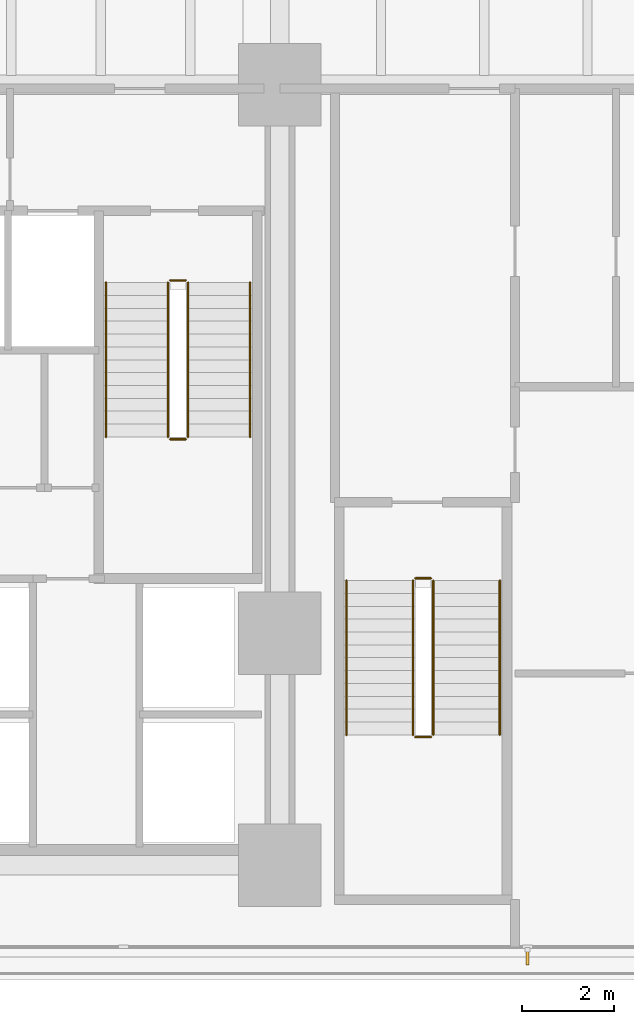
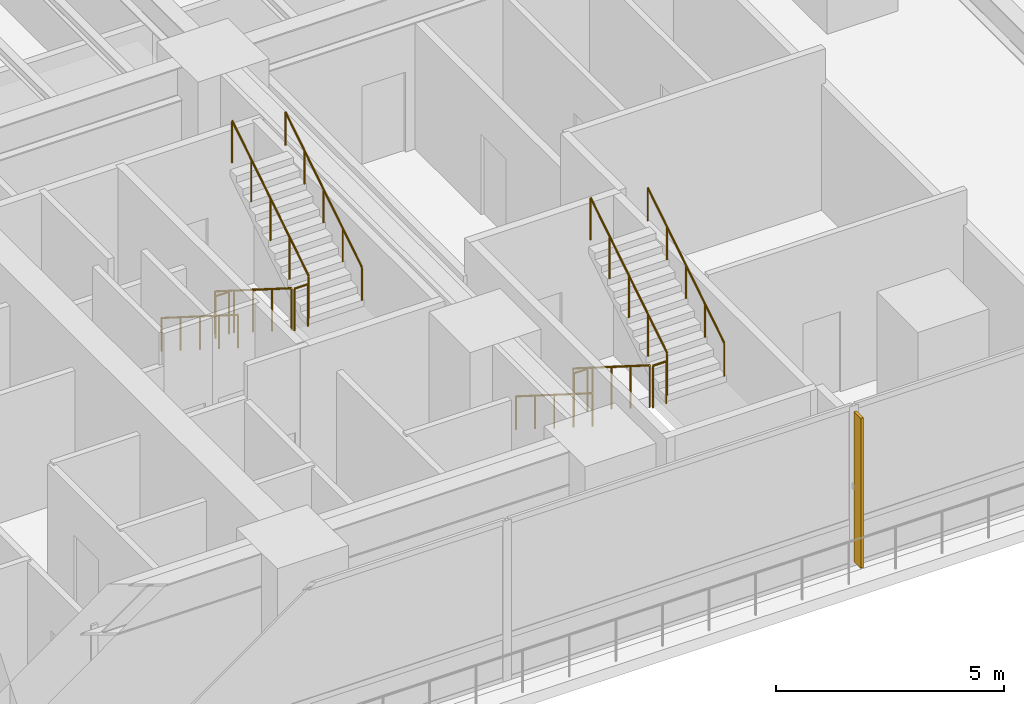
# One storey, part 21 of 26: 12 railings, 1 shading device.
"""IFC4 building model written with IfcOpenShell, lengths in metres."""

from ifc_helpers import new_model, si_unit, direction, frame, origin, origin_2d, place, context, subcontext, project, spatial, polyline, circle, outline, extrude, material, layer, layer_set, type_object, element, save


model = new_model("IFC4")

# Units and contexts
model_context = context("Model", 3, precision=1e-05, world=origin(), true_north=direction((0.0, 1.0)))
body_context = subcontext(model_context, "Body", "Model", "MODEL_VIEW")
ifc_project = project(units=[si_unit("LENGTHUNIT", "METRE"), si_unit("AREAUNIT", "SQUARE_METRE"), si_unit("VOLUMEUNIT", "CUBIC_METRE"), si_unit("PLANEANGLEUNIT", "RADIAN"), si_unit("MASSUNIT", "GRAM", prefix="KILO")], contexts=[model_context])

# Site, building, storey
site_placement = place(None, origin())
site = spatial("IfcSite", under=ifc_project, at=site_placement, CompositionType="ELEMENT")
building_placement = place(site_placement, origin())
building = spatial("IfcBuilding", under=site, at=building_placement, Name="Qalmaran Belvedere Hotel", CompositionType="ELEMENT")
storey_placement = place(building_placement, frame((0.0, 0.0, 19.199951171875)))
storey = spatial("IfcBuildingStorey", under=building, at=storey_placement, Name="L04", CompositionType="ELEMENT", Elevation=19.199951171875)

# Shading device
ifc_material_1 = material(Name="Anodised Bronze Aluminium", Category="aluminium")
ifc_layer = layer(ifc_material_1, 0.06494140625, Name="Anodised Bronze Aluminium")
ifc_layer_set = layer_set([ifc_layer], Name="Anodised Bronze Aluminium")
shading_device_type = type_object("IfcShadingDeviceType", Name="FIN-BRNZ-300", PredefinedType="USERDEFINED", material=ifc_layer_set)
shading_device_placement = place(storey_placement, frame((0.0, 0.0, 0.16015625)))
element("IfcShadingDevice", 1, at=shading_device_placement, inside=storey, type_object=shading_device_type, Name="L04 Bronze Fin 5", ObjectType="FIN", PredefinedType="USERDEFINED", context=body_context, shape_type="SweptSolid", body=[
    extrude(outline(polyline([(50.158935546875, 1.62744140625), (50.158935546875, 1.327392578125), (50.223876953125, 1.327392578125), (50.223876953125, 1.62744140625), (50.158935546875, 1.62744140625)])), origin(), (0.0, 0.0, 1.0), 4.019775390625),
])

# Railings
ifc_material_2 = material(Name="Stainless Steel 1.4401", Category="steel")
railing_type_1 = type_object("IfcRailingType", Name="RLG-STAIR-GUARD-1150", PredefinedType="GUARDRAIL", material=ifc_material_2)
railing_1_placement = place(storey_placement, frame((42.360107421875, 16.18994140625, 0.177001953125)))
element("IfcRailing", 2, at=railing_1_placement, inside=storey, type_object=railing_type_1, Name="L04 ST-2 stair guard 1", PredefinedType="GUARDRAIL", context=body_context, shape_type="SweptSolid", body=[
    extrude(circle(Radius=0.02392578125, at=origin_2d()), frame((0.0, 0.0, 1.1259765625), z_axis=(0.0, -0.845372108799, 0.534177870812), x_axis=(1.0, 0.0, 0.0)), (0.0, 0.0, 1.0), 3.974365234375),
    extrude(circle(Radius=0.02099609375, at=origin_2d()), origin(), (0.0, 0.0, 1.0), 1.101806640625),
    extrude(circle(Radius=0.02099609375, at=origin_2d()), frame((0.0, -0.83984375, 0.53076171875)), (0.0, 0.0, 1.0), 1.101806640625),
    extrude(circle(Radius=0.02099609375, at=origin_2d()), frame((0.0, -1.679931640625, 1.0615234375)), (0.0, 0.0, 1.0), 1.101806640625),
    extrude(circle(Radius=0.02099609375, at=origin_2d()), frame((0.0, -2.52001953125, 1.59228515625)), (0.0, 0.0, 1.0), 1.101806640625),
    extrude(circle(Radius=0.02099609375, at=origin_2d()), frame((0.0, -3.35986328125, 2.123046875)), (0.0, 0.0, 1.0), 1.101806640625),
])
railing_2_placement = place(storey_placement, frame((42.409912109375, 12.780029296875, 2.300048828125)))
element("IfcRailing", 3, at=railing_2_placement, inside=storey, type_object=railing_type_1, Name="L04 ST-2 stair guard 2", PredefinedType="GUARDRAIL", context=body_context, shape_type="SweptSolid", body=[
    extrude(circle(Radius=0.02392578125, at=origin_2d()), frame((0.0, 0.0, 1.1259765625), z_axis=(1.0, 0.0, 0.0), x_axis=(0.0, 1.0, 0.0)), (0.0, 0.0, 1.0), 0.340087890625),
    extrude(circle(Radius=0.02099609375, at=origin_2d()), origin(), (0.0, 0.0, 1.0), 1.101806640625),
    extrude(circle(Radius=0.02099609375, at=origin_2d()), frame((0.340087890625, 0.0, 0.0)), (0.0, 0.0, 1.0), 1.101806640625),
])
railing_3_placement = place(storey_placement, frame((42.800048828125, 12.830078125, 2.47705078125)))
element("IfcRailing", 4, at=railing_3_placement, inside=storey, type_object=railing_type_1, Name="L04 ST-2 stair guard 3", PredefinedType="GUARDRAIL", context=body_context, shape_type="SweptSolid", body=[
    extrude(circle(Radius=0.02392578125, at=origin_2d()), frame((0.0, 0.0, 1.1259765625), z_axis=(0.0, 0.845372108799, 0.534177870812), x_axis=(-1.0, 0.0, 0.0)), (0.0, 0.0, 1.0), 3.974365234375),
    extrude(circle(Radius=0.02099609375, at=origin_2d()), origin(), (0.0, 0.0, 1.0), 1.101806640625),
    extrude(circle(Radius=0.02099609375, at=origin_2d()), frame((0.0, 0.83984375, 0.53076171875)), (0.0, 0.0, 1.0), 1.101806640625),
    extrude(circle(Radius=0.02099609375, at=origin_2d()), frame((0.0, 1.679931640625, 1.0615234375)), (0.0, 0.0, 1.0), 1.101806640625),
    extrude(circle(Radius=0.02099609375, at=origin_2d()), frame((0.0, 2.52001953125, 1.59228515625)), (0.0, 0.0, 1.0), 1.101806640625),
    extrude(circle(Radius=0.02099609375, at=origin_2d()), frame((0.0, 3.35986328125, 2.123046875)), (0.0, 0.0, 1.0), 1.101806640625),
])
railing_4_placement = place(storey_placement, frame((42.409912109375, 16.239990234375, 0.0)))
element("IfcRailing", 5, at=railing_4_placement, inside=storey, type_object=railing_type_1, Name="L04 ST-2 stair guard 4", PredefinedType="GUARDRAIL", context=body_context, shape_type="SweptSolid", body=[
    extrude(circle(Radius=0.02392578125, at=origin_2d()), frame((0.0, 0.0, 1.1259765625), z_axis=(1.0, 0.0, 0.0), x_axis=(0.0, 1.0, 0.0)), (0.0, 0.0, 1.0), 0.340087890625),
    extrude(circle(Radius=0.02099609375, at=origin_2d()), origin(), (0.0, 0.0, 1.0), 1.101806640625),
    extrude(circle(Radius=0.02099609375, at=origin_2d()), frame((0.340087890625, 0.0, 0.0)), (0.0, 0.0, 1.0), 1.101806640625),
])
railing_5_placement = place(storey_placement, frame((47.699951171875, 9.699951171875, 0.177001953125)))
element("IfcRailing", 6, at=railing_5_placement, inside=storey, type_object=railing_type_1, Name="L04 ST-P2 stair guard 1", PredefinedType="GUARDRAIL", context=body_context, shape_type="SweptSolid", body=[
    extrude(circle(Radius=0.02392578125, at=origin_2d()), frame((0.0, 0.0, 1.1259765625), z_axis=(0.0, -0.845372108799, 0.534177870812), x_axis=(1.0, 0.0, 0.0)), (0.0, 0.0, 1.0), 3.974365234375),
    extrude(circle(Radius=0.02099609375, at=origin_2d()), origin(), (0.0, 0.0, 1.0), 1.101806640625),
    extrude(circle(Radius=0.02099609375, at=origin_2d()), frame((0.0, -0.83984375, 0.53076171875)), (0.0, 0.0, 1.0), 1.101806640625),
    extrude(circle(Radius=0.02099609375, at=origin_2d()), frame((0.0, -1.679931640625, 1.0615234375)), (0.0, 0.0, 1.0), 1.101806640625),
    extrude(circle(Radius=0.02099609375, at=origin_2d()), frame((0.0, -2.52001953125, 1.59228515625)), (0.0, 0.0, 1.0), 1.101806640625),
    extrude(circle(Radius=0.02099609375, at=origin_2d()), frame((0.0, -3.35986328125, 2.123046875)), (0.0, 0.0, 1.0), 1.101806640625),
])
railing_6_placement = place(storey_placement, frame((47.75, 6.2900390625, 2.300048828125)))
element("IfcRailing", 7, at=railing_6_placement, inside=storey, type_object=railing_type_1, Name="L04 ST-P2 stair guard 2", PredefinedType="GUARDRAIL", context=body_context, shape_type="SweptSolid", body=[
    extrude(circle(Radius=0.02392578125, at=origin_2d()), frame((0.0, 0.0, 1.1259765625), z_axis=(1.0, 0.0, 0.0), x_axis=(0.0, 1.0, 0.0)), (0.0, 0.0, 1.0), 0.340087890625),
    extrude(circle(Radius=0.02099609375, at=origin_2d()), origin(), (0.0, 0.0, 1.0), 1.101806640625),
    extrude(circle(Radius=0.02099609375, at=origin_2d()), frame((0.340087890625, 0.0, 0.0)), (0.0, 0.0, 1.0), 1.101806640625),
])
railing_7_placement = place(storey_placement, frame((48.139892578125, 6.340087890625, 2.47705078125)))
element("IfcRailing", 8, at=railing_7_placement, inside=storey, type_object=railing_type_1, Name="L04 ST-P2 stair guard 3", PredefinedType="GUARDRAIL", context=body_context, shape_type="SweptSolid", body=[
    extrude(circle(Radius=0.02392578125, at=origin_2d()), frame((0.0, 0.0, 1.1259765625), z_axis=(0.0, 0.845372108799, 0.534177870812), x_axis=(-1.0, 0.0, 0.0)), (0.0, 0.0, 1.0), 3.974365234375),
    extrude(circle(Radius=0.02099609375, at=origin_2d()), origin(), (0.0, 0.0, 1.0), 1.101806640625),
    extrude(circle(Radius=0.02099609375, at=origin_2d()), frame((0.0, 0.83984375, 0.53076171875)), (0.0, 0.0, 1.0), 1.101806640625),
    extrude(circle(Radius=0.02099609375, at=origin_2d()), frame((0.0, 1.679931640625, 1.0615234375)), (0.0, 0.0, 1.0), 1.101806640625),
    extrude(circle(Radius=0.02099609375, at=origin_2d()), frame((0.0, 2.52001953125, 1.59228515625)), (0.0, 0.0, 1.0), 1.101806640625),
    extrude(circle(Radius=0.02099609375, at=origin_2d()), frame((0.0, 3.35986328125, 2.123046875)), (0.0, 0.0, 1.0), 1.101806640625),
])
railing_8_placement = place(storey_placement, frame((47.75, 9.75, 0.0)))
element("IfcRailing", 9, at=railing_8_placement, inside=storey, type_object=railing_type_1, Name="L04 ST-P2 stair guard 4", PredefinedType="GUARDRAIL", context=body_context, shape_type="SweptSolid", body=[
    extrude(circle(Radius=0.02392578125, at=origin_2d()), frame((0.0, 0.0, 1.1259765625), z_axis=(1.0, 0.0, 0.0), x_axis=(0.0, 1.0, 0.0)), (0.0, 0.0, 1.0), 0.340087890625),
    extrude(circle(Radius=0.02099609375, at=origin_2d()), origin(), (0.0, 0.0, 1.0), 1.101806640625),
    extrude(circle(Radius=0.02099609375, at=origin_2d()), frame((0.340087890625, 0.0, 0.0)), (0.0, 0.0, 1.0), 1.101806640625),
])
railing_type_2 = type_object("IfcRailingType", Name="RLG-STAIR-HAND-910", PredefinedType="HANDRAIL", material=ifc_material_2)
railing_9_placement = place(storey_placement, frame((41.010009765625, 16.18994140625, 0.177001953125)))
element("IfcRailing", 10, at=railing_9_placement, inside=storey, type_object=railing_type_2, Name="L04 ST-2 stair handrail 1", PredefinedType="HANDRAIL", context=body_context, shape_type="SweptSolid", body=[
    extrude(circle(Radius=0.02392578125, at=origin_2d()), frame((0.0, 0.0, 0.8857421875), z_axis=(0.0, -0.845372108799, 0.534177870812), x_axis=(1.0, 0.0, 0.0)), (0.0, 0.0, 1.0), 3.974365234375),
    extrude(circle(Radius=0.02099609375, at=origin_2d()), origin(), (0.0, 0.0, 1.0), 0.86181640625),
    extrude(circle(Radius=0.02099609375, at=origin_2d()), frame((0.0, -0.83984375, 0.53076171875)), (0.0, 0.0, 1.0), 0.86181640625),
    extrude(circle(Radius=0.02099609375, at=origin_2d()), frame((0.0, -1.679931640625, 1.0615234375)), (0.0, 0.0, 1.0), 0.86181640625),
    extrude(circle(Radius=0.02099609375, at=origin_2d()), frame((0.0, -2.52001953125, 1.59228515625)), (0.0, 0.0, 1.0), 0.86181640625),
    extrude(circle(Radius=0.02099609375, at=origin_2d()), frame((0.0, -3.35986328125, 2.123046875)), (0.0, 0.0, 1.0), 0.86181640625),
])
railing_10_placement = place(storey_placement, frame((44.14990234375, 12.830078125, 2.47705078125)))
element("IfcRailing", 11, at=railing_10_placement, inside=storey, type_object=railing_type_2, Name="L04 ST-2 stair handrail 2", PredefinedType="HANDRAIL", context=body_context, shape_type="SweptSolid", body=[
    extrude(circle(Radius=0.02392578125, at=origin_2d()), frame((0.0, 0.0, 0.8857421875), z_axis=(0.0, 0.845372108799, 0.534177870812), x_axis=(-1.0, 0.0, 0.0)), (0.0, 0.0, 1.0), 3.974365234375),
    extrude(circle(Radius=0.02099609375, at=origin_2d()), origin(), (0.0, 0.0, 1.0), 0.86181640625),
    extrude(circle(Radius=0.02099609375, at=origin_2d()), frame((0.0, 0.83984375, 0.53076171875)), (0.0, 0.0, 1.0), 0.86181640625),
    extrude(circle(Radius=0.02099609375, at=origin_2d()), frame((0.0, 1.679931640625, 1.0615234375)), (0.0, 0.0, 1.0), 0.86181640625),
    extrude(circle(Radius=0.02099609375, at=origin_2d()), frame((0.0, 2.52001953125, 1.59228515625)), (0.0, 0.0, 1.0), 0.86181640625),
    extrude(circle(Radius=0.02099609375, at=origin_2d()), frame((0.0, 3.35986328125, 2.123046875)), (0.0, 0.0, 1.0), 0.86181640625),
])
railing_11_placement = place(storey_placement, frame((46.25, 9.699951171875, 0.177001953125)))
element("IfcRailing", 12, at=railing_11_placement, inside=storey, type_object=railing_type_2, Name="L04 ST-P2 stair handrail 1", PredefinedType="HANDRAIL", context=body_context, shape_type="SweptSolid", body=[
    extrude(circle(Radius=0.02392578125, at=origin_2d()), frame((0.0, 0.0, 0.8857421875), z_axis=(0.0, -0.845372108799, 0.534177870812), x_axis=(1.0, 0.0, 0.0)), (0.0, 0.0, 1.0), 3.974365234375),
    extrude(circle(Radius=0.02099609375, at=origin_2d()), origin(), (0.0, 0.0, 1.0), 0.86181640625),
    extrude(circle(Radius=0.02099609375, at=origin_2d()), frame((0.0, -0.83984375, 0.53076171875)), (0.0, 0.0, 1.0), 0.86181640625),
    extrude(circle(Radius=0.02099609375, at=origin_2d()), frame((0.0, -1.679931640625, 1.0615234375)), (0.0, 0.0, 1.0), 0.86181640625),
    extrude(circle(Radius=0.02099609375, at=origin_2d()), frame((0.0, -2.52001953125, 1.59228515625)), (0.0, 0.0, 1.0), 0.86181640625),
    extrude(circle(Radius=0.02099609375, at=origin_2d()), frame((0.0, -3.35986328125, 2.123046875)), (0.0, 0.0, 1.0), 0.86181640625),
])
railing_12_placement = place(storey_placement, frame((49.590087890625, 6.340087890625, 2.47705078125)))
element("IfcRailing", 13, at=railing_12_placement, inside=storey, type_object=railing_type_2, Name="L04 ST-P2 stair handrail 2", PredefinedType="HANDRAIL", context=body_context, shape_type="SweptSolid", body=[
    extrude(circle(Radius=0.02392578125, at=origin_2d()), frame((0.0, 0.0, 0.8857421875), z_axis=(0.0, 0.845372108799, 0.534177870812), x_axis=(-1.0, 0.0, 0.0)), (0.0, 0.0, 1.0), 3.974365234375),
    extrude(circle(Radius=0.02099609375, at=origin_2d()), origin(), (0.0, 0.0, 1.0), 0.86181640625),
    extrude(circle(Radius=0.02099609375, at=origin_2d()), frame((0.0, 0.83984375, 0.53076171875)), (0.0, 0.0, 1.0), 0.86181640625),
    extrude(circle(Radius=0.02099609375, at=origin_2d()), frame((0.0, 1.679931640625, 1.0615234375)), (0.0, 0.0, 1.0), 0.86181640625),
    extrude(circle(Radius=0.02099609375, at=origin_2d()), frame((0.0, 2.52001953125, 1.59228515625)), (0.0, 0.0, 1.0), 0.86181640625),
    extrude(circle(Radius=0.02099609375, at=origin_2d()), frame((0.0, 3.35986328125, 2.123046875)), (0.0, 0.0, 1.0), 0.86181640625),
])

save(model, "model.ifc")
